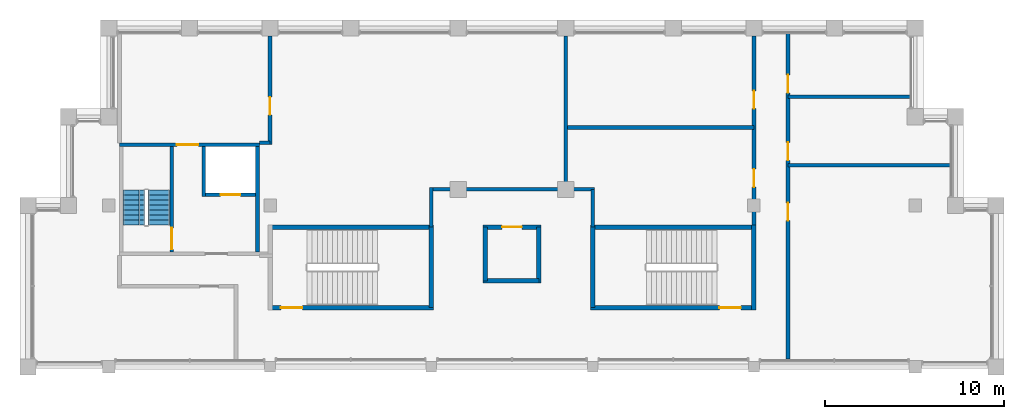
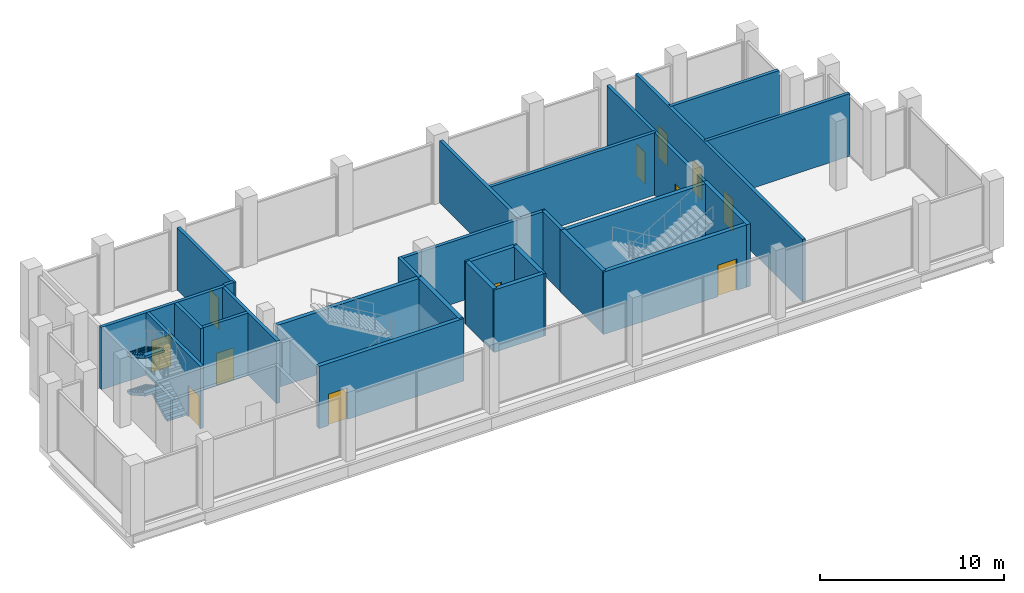
# One storey, part 6 of 8: 27 walls, 12 doors, 3 stair flights, 12 openings, 1 element without a shape of its own.
"""IFC4 building model written with IfcOpenShell, lengths in metres."""

import ifcopenshell
import ifcopenshell.guid

model = None  # the IFC model being written
_history = None  # IfcOwnerHistory: only IFC2X3 demands one
_inside = {}  # id of a spatial element -> (the spatial element, [elements in it])
_under = {}  # id of a project, library or spatial element -> (it, [spatial elements below it])
_declared = {}  # id of a project -> (the project, [libraries it declares])
_typed = {}  # id of a type object -> (the type object, [elements of that type])
_made_of = {}  # id of a material, layer set ... -> (it, [elements and type objects made of it])


def new_model(schema):
    """Start an empty IFC model of exactly this schema.

    Asked for "IFC4X3", IfcOpenShell would pick the latest addendum, in which some entities
    have other attributes; the version numbers below select the first issue.
    IFC2X3 requires an IfcOwnerHistory on every rooted entity: one is made here for all.
    """
    global model, _history
    if schema == "IFC4X3":
        model = ifcopenshell.file(schema_version=(4, 3, 0, 0))
    else:
        model = ifcopenshell.file(schema=schema)
    _inside.clear()
    _under.clear()
    _declared.clear()
    _typed.clear()
    _made_of.clear()
    _history = None
    if model.schema == "IFC2X3":
        org = make("IfcOrganization", Name="unknown")
        user = make(
            "IfcPersonAndOrganization",
            ThePerson=make("IfcPerson", FamilyName="unknown"),
            TheOrganization=org,
        )
        app = make(
            "IfcApplication",
            ApplicationDeveloper=org,
            Version="unknown",
            ApplicationFullName="unknown",
            ApplicationIdentifier="unknown",
        )
        _history = make(
            "IfcOwnerHistory",
            OwningUser=user,
            OwningApplication=app,
            ChangeAction="ADDED",
            CreationDate=0,
        )
    return model


def make(cls, **values):
    """One entity of the class cls with the attributes given. An attribute that is None is left unset."""
    return model.create_entity(
        cls, **{name: value for name, value in values.items() if value is not None}
    )


def rooted(cls, **values):
    """An entity with a GlobalId (a new one), such as an element, a storey or a relation."""
    return make(cls, GlobalId=ifcopenshell.guid.new(), OwnerHistory=_history, **values)


def si_unit(unit_type, name, prefix=None):
    """IfcSIUnit, for example si_unit("LENGTHUNIT", "METRE", prefix="MILLI")."""
    return make("IfcSIUnit", UnitType=unit_type, Prefix=prefix, Name=name)


def assignment(units):
    """IfcUnitAssignment: the units of a project."""
    return None if units is None else make("IfcUnitAssignment", Units=units)


def point(xyz):
    """IfcCartesianPoint."""
    return None if xyz is None else make("IfcCartesianPoint", Coordinates=xyz)


def direction(xyz):
    """IfcDirection."""
    return None if xyz is None else make("IfcDirection", DirectionRatios=xyz)


def frame(location, z_axis=None, x_axis=None):
    """IfcAxis2Placement3D, a coordinate frame: its origin and axes. An axis left out is left unset."""
    return make(
        "IfcAxis2Placement3D",
        Location=point(location),
        Axis=direction(z_axis),
        RefDirection=direction(x_axis),
    )


def frame_2d(location, x_axis=None):
    """IfcAxis2Placement2D, a coordinate frame in the plane: its origin and x axis."""
    return make(
        "IfcAxis2Placement2D", Location=point(location), RefDirection=direction(x_axis)
    )


def origin():
    """The frame at (0, 0, 0) with its axes left unset."""
    return frame((0.0, 0.0, 0.0))


def place(relative_to, where):
    """IfcLocalPlacement: puts the frame where relative to a parent placement (None: the world)."""
    return make(
        "IfcLocalPlacement", PlacementRelTo=relative_to, RelativePlacement=where
    )


def context(
    kind, dimensions, precision=None, world=None, true_north=None, identifier=None
):
    """IfcGeometricRepresentationContext, for example the 3D "Model" context."""
    return make(
        "IfcGeometricRepresentationContext",
        ContextIdentifier=identifier,
        ContextType=kind,
        CoordinateSpaceDimension=dimensions,
        Precision=precision,
        WorldCoordinateSystem=world,
        TrueNorth=true_north,
    )


def subcontext(parent, identifier, kind, view, scale=None):
    """IfcGeometricRepresentationSubContext, for example "Body" below "Model"."""
    return make(
        "IfcGeometricRepresentationSubContext",
        ContextIdentifier=identifier,
        ContextType=kind,
        ParentContext=parent,
        TargetScale=scale,
        TargetView=view,
    )


def project(units=None, contexts=None):
    """IfcProject with its units and contexts."""
    return rooted(
        "IfcProject",
        Name="project",
        RepresentationContexts=contexts,
        UnitsInContext=assignment(units),
    )


def spatial(cls, under=None, at=None, **own):
    """A site, building, storey or space (cls), placed at a placement, below another one or the project."""
    s = rooted(cls, ObjectPlacement=at, **own)
    if under is not None:
        _under.setdefault(under.id(), (under, []))[1].append(s)
    return s


def polyline(points):
    """IfcPolyline through the points."""
    return make("IfcPolyline", Points=[point(p) for p in points])


def profile(cls, at=None, kind="AREA", **sizes):
    """A parametric profile (cls). Its sizes go by their IFC names, for example OverallWidth=200.0."""
    return make(cls, ProfileType=kind, Position=at, **sizes)


def rectangle(**sizes):
    """IfcRectangleProfileDef."""
    return profile("IfcRectangleProfileDef", **sizes)


def outline(outer, holes=None, kind="AREA"):
    """IfcArbitraryClosedProfileDef: a profile drawn as a closed curve; with holes, ...WithVoids."""
    if holes is None:
        return make("IfcArbitraryClosedProfileDef", ProfileType=kind, OuterCurve=outer)
    return make(
        "IfcArbitraryProfileDefWithVoids",
        ProfileType=kind,
        OuterCurve=outer,
        InnerCurves=holes,
    )


def extrude(swept, where, along, depth):
    """IfcExtrudedAreaSolid: the profile swept, set in the frame where, extruded along a direction by depth."""
    return make(
        "IfcExtrudedAreaSolid",
        SweptArea=swept,
        Position=where,
        ExtrudedDirection=direction(along),
        Depth=depth,
    )


def shape(context_of_items, identifier, shape_type, items):
    """IfcShapeRepresentation: the items that make up one representation, for example the "Body"."""
    return make(
        "IfcShapeRepresentation",
        ContextOfItems=context_of_items,
        RepresentationIdentifier=identifier,
        RepresentationType=shape_type,
        Items=items,
    )


def material(Name=None, Category=None):
    """IfcMaterial."""
    return make("IfcMaterial", Name=Name, Category=Category)


def layer(
    of_material, thickness, ventilated=None, Name=None, Category=None, Priority=None
):
    """IfcMaterialLayer: one layer of a wall or slab, of a material (None: an air gap)."""
    return make(
        "IfcMaterialLayer",
        Material=of_material,
        LayerThickness=thickness,
        IsVentilated=ventilated,
        Name=Name,
        Category=Category,
        Priority=Priority,
    )


def layer_set(layers, Name=None):
    """IfcMaterialLayerSet."""
    return make("IfcMaterialLayerSet", MaterialLayers=layers, LayerSetName=Name)


def made_of(thing, what):
    """Note that an element or type object is made of a material, layer set ...; save() writes the relation."""
    if what is not None:
        _made_of.setdefault(what.id(), (what, []))[1].append(thing)
    return thing


def type_object(cls, material=None, **own):
    """A type object (cls), such as IfcWallType, which elements share."""
    return made_of(rooted(cls, **own), material)


def element(
    cls,
    number,
    at=None,
    inside=None,
    cuts=None,
    type_object=None,
    material=None,
    context=None,
    identifier="Body",
    shape_type=None,
    held_by="IfcProductDefinitionShape",
    body=None,
    shapes=None,
    **own,
):
    """One element of the class cls, such as IfcWall. Its Tag is "e" and its number.

    at: its placement. inside: the storey or other place that contains it. cuts: it is an
    opening in that element (IfcRelVoidsElement). A single representation is given by context,
    identifier, shape_type and body (its items); several are given by shapes. held_by: the class
    of the entity that holds the representations. save() writes the other relations.
    """
    e = rooted(cls, Tag="e%d" % number, ObjectPlacement=at, **own)
    if body is not None:
        shapes = [shape(context, identifier, shape_type, body)]
    if shapes is not None:
        e.Representation = make(held_by, Representations=shapes)
    if inside is not None:
        _inside.setdefault(inside.id(), (inside, []))[1].append(e)
    if cuts is not None:
        rooted(
            "IfcRelVoidsElement", RelatingBuildingElement=cuts, RelatedOpeningElement=e
        )
    if type_object is not None:
        _typed.setdefault(type_object.id(), (type_object, []))[1].append(e)
    return made_of(e, material)


def fill(opening, filler):
    """IfcRelFillsElement: the door or window that sits in an opening."""
    return rooted(
        "IfcRelFillsElement",
        RelatingOpeningElement=opening,
        RelatedBuildingElement=filler,
    )


def aggregate(whole, parts):
    """IfcRelAggregates: a whole, such as a stair, and the parts it consists of."""
    return rooted("IfcRelAggregates", RelatingObject=whole, RelatedObjects=parts)


def save(model, path):
    """Write the relations noted so far, then the file.

    IfcRelAggregates (storeys below a building ...), IfcRelContainedInSpatialStructure (elements
    in a storey), IfcRelDefinesByType, IfcRelAssociatesMaterial and IfcRelDeclares: one each for
    every whole, place, type object, material and project.
    """
    for whole, parts in _under.values():
        aggregate(whole, parts)
    for where, things in _inside.values():
        rooted(
            "IfcRelContainedInSpatialStructure",
            RelatedElements=things,
            RelatingStructure=where,
        )
    for kind, things in _typed.values():
        rooted("IfcRelDefinesByType", RelatedObjects=things, RelatingType=kind)
    for what, things in _made_of.values():
        rooted("IfcRelAssociatesMaterial", RelatedObjects=things, RelatingMaterial=what)
    for by, libraries in _declared.values():
        rooted("IfcRelDeclares", RelatingContext=by, RelatedDefinitions=libraries)
    model.write(path)


model = new_model("IFC4")

# Units and contexts
model_context = context("Model", 3, precision=1e-05, world=origin(), true_north=direction((0.0, 1.0)))
body_context = subcontext(model_context, "Body", "Model", "MODEL_VIEW")
ifc_project = project(units=[si_unit("LENGTHUNIT", "METRE"), si_unit("AREAUNIT", "SQUARE_METRE"), si_unit("VOLUMEUNIT", "CUBIC_METRE"), si_unit("PLANEANGLEUNIT", "RADIAN"), si_unit("MASSUNIT", "GRAM", prefix="KILO")], contexts=[model_context])

# Site, building, storey
site_placement = place(None, origin())
site = spatial("IfcSite", under=ifc_project, at=site_placement, CompositionType="ELEMENT")
building_placement = place(site_placement, origin())
building = spatial("IfcBuilding", under=site, at=building_placement, Name="Corbelhall Arena Tower", CompositionType="ELEMENT")
storey_placement = place(building_placement, frame((0.0, 0.0, 381.0)))
storey = spatial("IfcBuildingStorey", under=building, at=storey_placement, Name="L82", CompositionType="ELEMENT", Elevation=381.0)

# Wall
ifc_material_1 = material(Name="Gypsum board on steel stud, acoustic", Category="steel")
ifc_layer_1 = layer(ifc_material_1, 0.199951171875)
ifc_layer_set_1 = layer_set([ifc_layer_1], Name="IN-W-DM200")
wall_type_1 = type_object("IfcWallType", Name="IN-W-DM200", PredefinedType="PARTITIONING", material=ifc_layer_set_1)
wall_1_placement = place(storey_placement, frame((-13.5, 21.5, 0.0), z_axis=(0.0, 0.0, 1.0), x_axis=(-1.0, 0.0, 0.0)))
element("IfcWall", 1, at=wall_1_placement, inside=storey, type_object=wall_type_1, Name="Partition 006", PredefinedType="PARTITIONING", context=body_context, shape_type="SweptSolid", body=[
    extrude(rectangle(XDim=0.60009765625, YDim=0.199951171875, at=frame_2d((0.300048828125, 0.0))), origin(), (0.0, 0.0, 1.0), 4.149658203125),
])

# Wall, opening, door
wall_2_placement = place(storey_placement, frame((-13.5, 27.449951171875, 0.0), z_axis=(0.0, 0.0, 1.0), x_axis=(0.0, -1.0, 0.0)))
wall_2 = element("IfcWall", 2, at=wall_2_placement, inside=storey, type_object=wall_type_1, Name="Partition 007", PredefinedType="PARTITIONING", context=body_context, shape_type="SweptSolid", body=[
    extrude(rectangle(XDim=6.050048828125, YDim=0.199951171875, at=frame_2d((3.02490234375, 0.0))), origin(), (0.0, 0.0, 1.0), 4.149658203125),
])
opening_1_placement = place(wall_2_placement, frame((3.39990234375, 0.0, 0.0)))
opening_1 = element("IfcOpeningElement", 3, at=opening_1_placement, cuts=wall_2, Name="Opening 36003", PredefinedType="OPENING", context=body_context, shape_type="SweptSolid", body=[
    extrude(rectangle(XDim=1.0, YDim=2.10009765625, at=frame_2d((0.5, 1.050048828125))), frame((0.0, 0.10009765625, 0.0), z_axis=(0.0, -1.0, 0.0), x_axis=(1.0, 0.0, 0.0)), (0.0, 0.0, 1.0), 0.199951171875),
])
ifc_material_2 = material(Name="Steel door set", Category="steel")
door_type_1 = type_object("IfcDoorType", Name="IN-D-SW100", OperationType="NOTDEFINED", PredefinedType="DOOR", material=ifc_material_2)
door_1_placement = place(opening_1_placement, origin())
door_1 = element("IfcDoor", 4, at=door_1_placement, inside=storey, type_object=door_type_1, Name="Door 003", OperationType="SINGLE_SWING_RIGHT", OverallHeight=2.10009765625, OverallWidth=1.0, PredefinedType="DOOR", context=body_context, shape_type="SweptSolid", body=[
    extrude(rectangle(XDim=1.0, YDim=2.10009765625, at=frame_2d((0.5, 1.050048828125))), frame((0.0, 0.02490234375, 0.0), z_axis=(0.0, -1.0, 0.0), x_axis=(1.0, 0.0, 0.0)), (0.0, 0.0, 1.0), 0.050048828125),
])
fill(opening_1, door_1)

# Walls
wall_3_placement = place(storey_placement, frame((-4.5, 16.800048828125, 0.0), z_axis=(0.0, 0.0, 1.0), x_axis=(0.0, 1.0, 0.0)))
element("IfcWall", 5, at=wall_3_placement, inside=storey, type_object=wall_type_1, Name="Partition 008", PredefinedType="PARTITIONING", context=body_context, shape_type="SweptSolid", body=[
    extrude(rectangle(XDim=2.199951171875, YDim=0.199951171875, at=frame_2d((1.10009765625, 0.0))), origin(), (0.0, 0.0, 1.0), 4.149658203125),
])
wall_4_placement = place(storey_placement, frame((-4.5, 18.89990234375, 0.0), z_axis=(0.0, 0.0, 1.0), x_axis=(1.0, 0.0, 0.0)))
element("IfcWall", 6, at=wall_4_placement, inside=storey, type_object=wall_type_1, Name="Partition 009", PredefinedType="PARTITIONING", context=body_context, shape_type="SweptSolid", body=[
    extrude(rectangle(XDim=9.10009765625, YDim=0.199951171875, at=frame_2d((4.550048828125, 0.0))), origin(), (0.0, 0.0, 1.0), 4.149658203125),
])
wall_5_placement = place(storey_placement, frame((3.0, 22.35009765625, 0.0), z_axis=(0.0, 0.0, 1.0), x_axis=(1.0, 0.0, 0.0)))
element("IfcWall", 7, at=wall_5_placement, inside=storey, type_object=wall_type_1, Name="Partition 010", PredefinedType="PARTITIONING", context=body_context, shape_type="SweptSolid", body=[
    extrude(rectangle(XDim=10.5, YDim=0.199951171875, at=frame_2d((5.25, 0.0))), origin(), (0.0, 0.0, 1.0), 4.149658203125),
])
wall_6_placement = place(storey_placement, frame((3.0, 27.449951171875, 0.0), z_axis=(0.0, 0.0, 1.0), x_axis=(0.0, -1.0, 0.0)))
element("IfcWall", 8, at=wall_6_placement, inside=storey, type_object=wall_type_1, Name="Partition 011", PredefinedType="PARTITIONING", context=body_context, shape_type="SweptSolid", body=[
    extrude(rectangle(XDim=8.550048828125, YDim=0.199951171875, at=frame_2d((4.27490234375, 0.0))), origin(), (0.0, 0.0, 1.0), 4.149658203125),
])
wall_7_placement = place(storey_placement, frame((4.5, 18.89990234375, 0.0), z_axis=(0.0, 0.0, 1.0), x_axis=(0.0, -1.0, 0.0)))
element("IfcWall", 9, at=wall_7_placement, inside=storey, type_object=wall_type_1, Name="Partition 012", PredefinedType="PARTITIONING", context=body_context, shape_type="SweptSolid", body=[
    extrude(rectangle(XDim=2.099853515625, YDim=0.199951171875, at=frame_2d((1.0498046875, 0.0))), origin(), (0.0, 0.0, 1.0), 4.149658203125),
])

# Wall, openings, doors
wall_8_placement = place(storey_placement, frame((13.5, 16.675048828125, 0.0), z_axis=(0.0, 0.0, 1.0), x_axis=(0.0, 1.0, 0.0)))
wall_8 = element("IfcWall", 10, at=wall_8_placement, inside=storey, type_object=wall_type_1, Name="Partition 013", PredefinedType="PARTITIONING", context=body_context, shape_type="SweptSolid", body=[
    extrude(rectangle(XDim=10.77490234375, YDim=0.199951171875, at=frame_2d((5.387451171875, 0.0))), origin(), (0.0, 0.0, 1.0), 4.149658203125),
])
opening_2_placement = place(wall_8_placement, frame((2.35009765625, 0.0, 0.0)))
opening_2 = element("IfcOpeningElement", 11, at=opening_2_placement, cuts=wall_8, Name="Opening 36004", PredefinedType="OPENING", context=body_context, shape_type="SweptSolid", body=[
    extrude(rectangle(XDim=1.0, YDim=2.10009765625, at=frame_2d((0.5, 1.050048828125))), frame((0.0, 0.10009765625, 0.0), z_axis=(0.0, -1.0, 0.0), x_axis=(1.0, 0.0, 0.0)), (0.0, 0.0, 1.0), 0.199951171875),
])
opening_3_placement = place(wall_8_placement, frame((6.72509765625, 0.0, 0.0)))
opening_3 = element("IfcOpeningElement", 12, at=opening_3_placement, cuts=wall_8, Name="Opening 36005", PredefinedType="OPENING", context=body_context, shape_type="SweptSolid", body=[
    extrude(rectangle(XDim=1.0, YDim=2.10009765625, at=frame_2d((0.5, 1.050048828125))), frame((0.0, 0.10009765625, 0.0), z_axis=(0.0, -1.0, 0.0), x_axis=(1.0, 0.0, 0.0)), (0.0, 0.0, 1.0), 0.199951171875),
])
door_2_placement = place(opening_2_placement, origin())
door_2 = element("IfcDoor", 13, at=door_2_placement, inside=storey, type_object=door_type_1, Name="Door 004", OperationType="SINGLE_SWING_LEFT", OverallHeight=2.10009765625, OverallWidth=1.0, PredefinedType="DOOR", context=body_context, shape_type="SweptSolid", body=[
    extrude(rectangle(XDim=1.0, YDim=2.10009765625, at=frame_2d((0.5, 1.050048828125))), frame((0.0, 0.02490234375, 0.0), z_axis=(0.0, -1.0, 0.0), x_axis=(1.0, 0.0, 0.0)), (0.0, 0.0, 1.0), 0.050048828125),
])
fill(opening_2, door_2)
door_3_placement = place(opening_3_placement, origin())
door_3 = element("IfcDoor", 14, at=door_3_placement, inside=storey, type_object=door_type_1, Name="Door 005", OperationType="SINGLE_SWING_RIGHT", OverallHeight=2.10009765625, OverallWidth=1.0, PredefinedType="DOOR", context=body_context, shape_type="SweptSolid", body=[
    extrude(rectangle(XDim=1.0, YDim=2.10009765625, at=frame_2d((0.5, 1.050048828125))), frame((0.0, 0.02490234375, 0.0), z_axis=(0.0, -1.0, 0.0), x_axis=(1.0, 0.0, 0.0)), (0.0, 0.0, 1.0), 0.050048828125),
])
fill(opening_3, door_3)

# Wall
wall_9_placement = place(storey_placement, frame((15.39990234375, 20.25, 0.0), z_axis=(0.0, 0.0, 1.0), x_axis=(1.0, 0.0, 0.0)))
element("IfcWall", 15, at=wall_9_placement, inside=storey, type_object=wall_type_1, Name="Partition 014", PredefinedType="PARTITIONING", context=body_context, shape_type="SweptSolid", body=[
    extrude(rectangle(XDim=9.086181640625, YDim=0.199951171875, at=frame_2d((4.54296875, 0.0))), origin(), (0.0, 0.0, 1.0), 4.149658203125),
])

# Wall, openings, doors
wall_10_placement = place(storey_placement, frame((15.39990234375, 27.635986328125, 0.0), z_axis=(0.0, 0.0, 1.0), x_axis=(0.0, -1.0, 0.0)))
wall_10 = element("IfcWall", 16, at=wall_10_placement, inside=storey, type_object=wall_type_1, Name="Partition 015", PredefinedType="PARTITIONING", context=body_context, shape_type="SweptSolid", body=[
    extrude(rectangle(XDim=18.18603515625, YDim=0.199951171875, at=frame_2d((9.093017578125, 0.0))), origin(), (0.0, 0.0, 1.0), 4.149658203125),
])
opening_4_placement = place(wall_10_placement, frame((9.486083984375, 0.0, 0.0)))
opening_4 = element("IfcOpeningElement", 17, at=opening_4_placement, cuts=wall_10, Name="Opening 36007", PredefinedType="OPENING", context=body_context, shape_type="SweptSolid", body=[
    extrude(rectangle(XDim=1.0, YDim=2.10009765625, at=frame_2d((0.5, 1.050048828125))), frame((0.0, 0.10009765625, 0.0), z_axis=(0.0, -1.0, 0.0), x_axis=(1.0, 0.0, 0.0)), (0.0, 0.0, 1.0), 0.199951171875),
])
opening_5_placement = place(wall_10_placement, frame((6.111083984375, 0.0, 0.0)))
opening_5 = element("IfcOpeningElement", 18, at=opening_5_placement, cuts=wall_10, Name="Opening 36008", PredefinedType="OPENING", context=body_context, shape_type="SweptSolid", body=[
    extrude(rectangle(XDim=1.0, YDim=2.10009765625, at=frame_2d((0.5, 1.050048828125))), frame((0.0, 0.10009765625, 0.0), z_axis=(0.0, -1.0, 0.0), x_axis=(1.0, 0.0, 0.0)), (0.0, 0.0, 1.0), 0.199951171875),
])
opening_6_placement = place(wall_10_placement, frame((2.35009765625, 0.0, 0.0)))
opening_6 = element("IfcOpeningElement", 19, at=opening_6_placement, cuts=wall_10, Name="Opening 36009", PredefinedType="OPENING", context=body_context, shape_type="SweptSolid", body=[
    extrude(rectangle(XDim=1.0, YDim=2.10009765625, at=frame_2d((0.5, 1.050048828125))), frame((0.0, 0.10009765625, 0.0), z_axis=(0.0, -1.0, 0.0), x_axis=(1.0, 0.0, 0.0)), (0.0, 0.0, 1.0), 0.199951171875),
])
door_4_placement = place(opening_4_placement, origin())
door_4 = element("IfcDoor", 20, at=door_4_placement, inside=storey, type_object=door_type_1, Name="Door 007", OperationType="SINGLE_SWING_RIGHT", OverallHeight=2.10009765625, OverallWidth=1.0, PredefinedType="DOOR", context=body_context, shape_type="SweptSolid", body=[
    extrude(rectangle(XDim=1.0, YDim=2.10009765625, at=frame_2d((0.5, 1.050048828125))), frame((0.0, 0.02490234375, 0.0), z_axis=(0.0, -1.0, 0.0), x_axis=(1.0, 0.0, 0.0)), (0.0, 0.0, 1.0), 0.050048828125),
])
fill(opening_4, door_4)
door_5_placement = place(opening_5_placement, origin())
door_5 = element("IfcDoor", 21, at=door_5_placement, inside=storey, type_object=door_type_1, Name="Door 008", OperationType="SINGLE_SWING_LEFT", OverallHeight=2.10009765625, OverallWidth=1.0, PredefinedType="DOOR", context=body_context, shape_type="SweptSolid", body=[
    extrude(rectangle(XDim=1.0, YDim=2.10009765625, at=frame_2d((0.5, 1.050048828125))), frame((0.0, 0.02490234375, 0.0), z_axis=(0.0, -1.0, 0.0), x_axis=(1.0, 0.0, 0.0)), (0.0, 0.0, 1.0), 0.050048828125),
])
fill(opening_5, door_5)
door_6_placement = place(opening_6_placement, origin())
door_6 = element("IfcDoor", 22, at=door_6_placement, inside=storey, type_object=door_type_1, Name="Door 009", OperationType="SINGLE_SWING_RIGHT", OverallHeight=2.10009765625, OverallWidth=1.0, PredefinedType="DOOR", context=body_context, shape_type="SweptSolid", body=[
    extrude(rectangle(XDim=1.0, YDim=2.10009765625, at=frame_2d((0.5, 1.050048828125))), frame((0.0, 0.02490234375, 0.0), z_axis=(0.0, -1.0, 0.0), x_axis=(1.0, 0.0, 0.0)), (0.0, 0.0, 1.0), 0.050048828125),
])
fill(opening_6, door_6)

# Wall
wall_11_placement = place(storey_placement, frame((15.39990234375, 24.074951171875, 0.0), z_axis=(0.0, 0.0, 1.0), x_axis=(1.0, 0.0, 0.0)))
element("IfcWall", 23, at=wall_11_placement, inside=storey, type_object=wall_type_1, Name="Partition 016", PredefinedType="PARTITIONING", context=body_context, shape_type="SweptSolid", body=[
    extrude(rectangle(XDim=6.836181640625, YDim=0.199951171875, at=frame_2d((3.41796875, 0.0))), origin(), (0.0, 0.0, 1.0), 4.149658203125),
])

# Wall, opening, door
ifc_material_3 = material(Name="Concrete C40/50", Category="concrete")
ifc_layer_2 = layer(ifc_material_3, 0.199951171875)
ifc_layer_set_2 = layer_set([ifc_layer_2], Name="IN-W-EAR200")
wall_type_2 = type_object("IfcWallType", Name="IN-W-EAR200", PredefinedType="SOLIDWALL", material=ifc_layer_set_2)
wall_12_placement = place(storey_placement, frame((-21.89990234375, 21.39990234375, 0.0), z_axis=(0.0, 0.0, 1.0), x_axis=(1.0, 0.0, 0.0)))
wall_12 = element("IfcWall", 24, at=wall_12_placement, inside=storey, type_object=wall_type_2, Name="Fire service turret wall north", PredefinedType="SOLIDWALL", context=body_context, shape_type="SweptSolid", body=[
    extrude(rectangle(XDim=7.7998046875, YDim=0.199951171875, at=frame_2d((3.89990234375, 0.0))), origin(), (0.0, 0.0, 1.0), 4.149658203125),
])
opening_7_placement = place(wall_12_placement, frame((3.199951171875, 0.0, 0.0)))
opening_7 = element("IfcOpeningElement", 25, at=opening_7_placement, cuts=wall_12, Name="Opening E363", PredefinedType="OPENING", context=body_context, shape_type="SweptSolid", body=[
    extrude(rectangle(XDim=1.199951171875, YDim=2.10009765625, at=frame_2d((0.60009765625, 1.050048828125))), frame((0.0, 0.10009765625, 0.0), z_axis=(0.0, -1.0, 0.0), x_axis=(1.0, 0.0, 0.0)), (0.0, 0.0, 1.0), 0.199951171875),
])
door_type_2 = type_object("IfcDoorType", Name="IN-D-ST120", OperationType="NOTDEFINED", PredefinedType="DOOR", material=ifc_material_2)
door_7_placement = place(opening_7_placement, origin())
door_7 = element("IfcDoor", 26, at=door_7_placement, inside=storey, type_object=door_type_2, Name="Door from fire service lift lobby to the north gallery", OperationType="SINGLE_SWING_LEFT", OverallHeight=2.10009765625, OverallWidth=1.199951171875, PredefinedType="DOOR", context=body_context, shape_type="SweptSolid", body=[
    extrude(rectangle(XDim=1.199951171875, YDim=2.10009765625, at=frame_2d((0.60009765625, 1.050048828125))), frame((0.0, 0.02490234375, 0.0), z_axis=(0.0, -1.0, 0.0), x_axis=(1.0, 0.0, 0.0)), (0.0, 0.0, 1.0), 0.050048828125),
])
fill(opening_7, door_7)

# Wall
wall_13_placement = place(storey_placement, frame((-14.199951171875, 15.39990234375, 0.0), z_axis=(0.0, 0.0, 1.0), x_axis=(0.0, 1.0, 0.0)))
element("IfcWall", 27, at=wall_13_placement, inside=storey, type_object=wall_type_2, Name="Fire service turret wall east", PredefinedType="SOLIDWALL", context=body_context, shape_type="SweptSolid", body=[
    extrude(rectangle(XDim=5.900146484375, YDim=0.199951171875, at=frame_2d((2.9501953125, 0.0))), origin(), (0.0, 0.0, 1.0), 4.149658203125),
])

# Wall, opening, door
wall_14_placement = place(storey_placement, frame((-18.989990234375, 15.39990234375, 0.0), z_axis=(0.0, 0.0, 1.0), x_axis=(0.0, 1.0, 0.0)))
wall_14 = element("IfcWall", 28, at=wall_14_placement, inside=storey, type_object=wall_type_2, Name="Fire service turret wall stair", PredefinedType="SOLIDWALL", context=body_context, shape_type="SweptSolid", body=[
    extrude(rectangle(XDim=5.900146484375, YDim=0.199951171875, at=frame_2d((2.9501953125, 0.0))), origin(), (0.0, 0.0, 1.0), 4.149658203125),
])
opening_8_placement = place(wall_14_placement, frame((0.14990234375, 0.0, 0.0)))
opening_8 = element("IfcOpeningElement", 29, at=opening_8_placement, cuts=wall_14, Name="Opening E361", PredefinedType="OPENING", context=body_context, shape_type="SweptSolid", body=[
    extrude(rectangle(XDim=1.199951171875, YDim=2.10009765625, at=frame_2d((0.60009765625, 1.050048828125))), frame((0.0, 0.10009765625, 0.0), z_axis=(0.0, -1.0, 0.0), x_axis=(1.0, 0.0, 0.0)), (0.0, 0.0, 1.0), 0.199951171875),
])
door_8_placement = place(opening_8_placement, origin())
door_8 = element("IfcDoor", 30, at=door_8_placement, inside=storey, type_object=door_type_2, Name="Stair door to fire service lobby", OperationType="SINGLE_SWING_LEFT", OverallHeight=2.10009765625, OverallWidth=1.199951171875, PredefinedType="DOOR", context=body_context, shape_type="SweptSolid", body=[
    extrude(rectangle(XDim=1.199951171875, YDim=2.10009765625, at=frame_2d((0.60009765625, 1.050048828125))), frame((0.0, 0.02490234375, 0.0), z_axis=(0.0, -1.0, 0.0), x_axis=(1.0, 0.0, 0.0)), (0.0, 0.0, 1.0), 0.050048828125),
])
fill(opening_8, door_8)

# Wall
wall_15_placement = place(storey_placement, frame((-17.199951171875, 18.5, 0.0), z_axis=(0.0, 0.0, 1.0), x_axis=(0.0, 1.0, 0.0)))
element("IfcWall", 31, at=wall_15_placement, inside=storey, type_object=wall_type_2, Name="Fire service turret wall hoistway west", PredefinedType="SOLIDWALL", context=body_context, shape_type="SweptSolid", body=[
    extrude(rectangle(XDim=2.800048828125, YDim=0.199951171875, at=frame_2d((1.39990234375, 0.0))), origin(), (0.0, 0.0, 1.0), 4.149658203125),
])

# Wall, opening, door
wall_16_placement = place(storey_placement, frame((-17.10009765625, 18.60009765625, 0.0), z_axis=(0.0, 0.0, 1.0), x_axis=(1.0, 0.0, 0.0)))
wall_16 = element("IfcWall", 32, at=wall_16_placement, inside=storey, type_object=wall_type_2, Name="Fire service turret wall hoistway south", PredefinedType="SOLIDWALL", context=body_context, shape_type="SweptSolid", body=[
    extrude(rectangle(XDim=2.800048828125, YDim=0.199951171875, at=frame_2d((1.39990234375, 0.0))), origin(), (0.0, 0.0, 1.0), 4.149658203125),
])
opening_9_placement = place(wall_16_placement, frame((0.85009765625, 0.0, 0.0)))
opening_9 = element("IfcOpeningElement", 33, at=opening_9_placement, cuts=wall_16, Name="Opening LD", PredefinedType="OPENING", context=body_context, shape_type="SweptSolid", body=[
    extrude(rectangle(XDim=1.10009765625, YDim=2.10009765625, at=frame_2d((0.550048828125, 1.050048828125))), frame((0.0, 0.10009765625, 0.0), z_axis=(0.0, -1.0, 0.0), x_axis=(1.0, 0.0, 0.0)), (0.0, 0.0, 1.0), 0.199951171875),
])
door_type_3 = type_object("IfcDoorType", Name="IN-D-LD110", OperationType="NOTDEFINED", PredefinedType="DOOR", material=ifc_material_2)
door_9_placement = place(opening_9_placement, origin())
door_9 = element("IfcDoor", 34, at=door_9_placement, inside=storey, type_object=door_type_3, Name="Landing door FS1", OperationType="SLIDING_TO_LEFT", OverallHeight=2.10009765625, OverallWidth=1.10009765625, PredefinedType="DOOR", context=body_context, shape_type="SweptSolid", body=[
    extrude(rectangle(XDim=1.10009765625, YDim=2.10009765625, at=frame_2d((0.550048828125, 1.050048828125))), frame((0.0, 0.02490234375, 0.0), z_axis=(0.0, -1.0, 0.0), x_axis=(1.0, 0.0, 0.0)), (0.0, 0.0, 1.0), 0.050048828125),
])
fill(opening_9, door_9)

ifc_layer_3 = layer(ifc_material_3, 0.25)
ifc_layer_set_3 = layer_set([ifc_layer_3], Name="IN-W-SH250")
wall_type_3 = type_object("IfcWallType", Name="IN-W-SH250", PredefinedType="SOLIDWALL", material=ifc_layer_set_3)
wall_17_placement = place(storey_placement, frame((-1.625, 16.800048828125, 0.0), z_axis=(0.0, 0.0, 1.0), x_axis=(1.0, 0.0, 0.0)))
wall_17 = element("IfcWall", 35, at=wall_17_placement, inside=storey, type_object=wall_type_3, Name="Shaft wall 017", PredefinedType="SOLIDWALL", context=body_context, shape_type="SweptSolid", body=[
    extrude(rectangle(XDim=3.25, YDim=0.25, at=frame_2d((1.625, 0.0))), origin(), (0.0, 0.0, 1.0), 4.149658203125),
])
opening_10_placement = place(wall_17_placement, frame((1.074951171875, 0.0, 0.0)))
opening_10 = element("IfcOpeningElement", 36, at=opening_10_placement, cuts=wall_17, Name="Opening LD", PredefinedType="OPENING", context=body_context, shape_type="SweptSolid", body=[
    extrude(rectangle(XDim=1.10009765625, YDim=2.10009765625, at=frame_2d((0.550048828125, 1.050048828125))), frame((0.0, 0.125, 0.0), z_axis=(0.0, -1.0, 0.0), x_axis=(1.0, 0.0, 0.0)), (0.0, 0.0, 1.0), 0.25),
])
door_10_placement = place(opening_10_placement, origin())
door_10 = element("IfcDoor", 37, at=door_10_placement, inside=storey, type_object=door_type_3, Name="Landing door C1", OperationType="SLIDING_TO_LEFT", OverallHeight=2.10009765625, OverallWidth=1.10009765625, PredefinedType="DOOR", context=body_context, shape_type="SweptSolid", body=[
    extrude(rectangle(XDim=1.10009765625, YDim=2.10009765625, at=frame_2d((0.550048828125, 1.050048828125))), frame((0.0, 0.02490234375, 0.0), z_axis=(0.0, -1.0, 0.0), x_axis=(1.0, 0.0, 0.0)), (0.0, 0.0, 1.0), 0.050048828125),
])
fill(opening_10, door_10)

# Walls
wall_18_placement = place(storey_placement, frame((-1.5, 13.800048828125, 0.0), z_axis=(0.0, 0.0, 1.0), x_axis=(0.0, 1.0, 0.0)))
element("IfcWall", 38, at=wall_18_placement, inside=storey, type_object=wall_type_3, Name="Shaft wall 018", PredefinedType="SOLIDWALL", context=body_context, shape_type="SweptSolid", body=[
    extrude(rectangle(XDim=3.0, YDim=0.25, at=frame_2d((1.5, 0.0))), origin(), (0.0, 0.0, 1.0), 4.149658203125),
])
for number, where, z_axis, x_axis, name in (
    (39, (1.5, 13.800048828125, 0.0), (0.0, 0.0, 1.0), (-1.0, 0.0, 0.0), "Shaft wall 019"),
    (40, (1.5, 16.800048828125, 0.0), (0.0, 0.0, 1.0), (0.0, -1.0, 0.0), "Shaft wall 020"),
):
    element("IfcWall", number, at=place(storey_placement, frame(where, z_axis=z_axis, x_axis=x_axis)), inside=storey, type_object=wall_type_3, Name=name, PredefinedType="SOLIDWALL", context=body_context, shape_type="SweptSolid", body=[
        extrude(rectangle(XDim=3.125, YDim=0.25, at=frame_2d((1.5625, 0.0))), origin(), (0.0, 0.0, 1.0), 4.149658203125),
    ])

# Wall, opening, door
ifc_layer_4 = layer(ifc_material_3, 0.25)
ifc_layer_set_4 = layer_set([ifc_layer_4], Name="IN-W-ST250")
wall_type_4 = type_object("IfcWallType", Name="IN-W-ST250", PredefinedType="SOLIDWALL", material=ifc_layer_set_4)
wall_19_placement = place(storey_placement, frame((-13.5, 12.300048828125, 0.0), z_axis=(0.0, 0.0, 1.0), x_axis=(1.0, 0.0, 0.0)))
wall_19 = element("IfcWall", 41, at=wall_19_placement, inside=storey, type_object=wall_type_4, Name="Shaft wall 021", PredefinedType="SOLIDWALL", context=body_context, shape_type="SweptSolid", body=[
    extrude(rectangle(XDim=9.125, YDim=0.25, at=frame_2d((4.5625, 0.0))), origin(), (0.0, 0.0, 1.0), 4.149658203125),
])
opening_11_placement = place(wall_19_placement, frame((0.60009765625, 0.0, 0.0)))
opening_11 = element("IfcOpeningElement", 42, at=opening_11_placement, cuts=wall_19, Name="Opening 36001", PredefinedType="OPENING", context=body_context, shape_type="SweptSolid", body=[
    extrude(rectangle(XDim=1.199951171875, YDim=2.10009765625, at=frame_2d((0.60009765625, 1.050048828125))), frame((0.0, 0.125, 0.0), z_axis=(0.0, -1.0, 0.0), x_axis=(1.0, 0.0, 0.0)), (0.0, 0.0, 1.0), 0.25),
])
door_11_placement = place(opening_11_placement, origin())
door_11 = element("IfcDoor", 43, at=door_11_placement, inside=storey, type_object=door_type_2, Name="Door 001", OperationType="SINGLE_SWING_RIGHT", OverallHeight=2.10009765625, OverallWidth=1.199951171875, PredefinedType="DOOR", context=body_context, shape_type="SweptSolid", body=[
    extrude(rectangle(XDim=1.199951171875, YDim=2.10009765625, at=frame_2d((0.60009765625, 1.050048828125))), frame((0.0, 0.02490234375, 0.0), z_axis=(0.0, -1.0, 0.0), x_axis=(1.0, 0.0, 0.0)), (0.0, 0.0, 1.0), 0.050048828125),
])
fill(opening_11, door_11)

# Walls
wall_20_placement = place(storey_placement, frame((-13.5, 16.800048828125, 0.0), z_axis=(0.0, 0.0, 1.0), x_axis=(1.0, 0.0, 0.0)))
element("IfcWall", 44, at=wall_20_placement, inside=storey, type_object=wall_type_4, Name="Shaft wall 023", PredefinedType="SOLIDWALL", context=body_context, shape_type="SweptSolid", body=[
    extrude(rectangle(XDim=9.10009765625, YDim=0.25, at=frame_2d((4.550048828125, 0.0))), origin(), (0.0, 0.0, 1.0), 4.149658203125),
])
wall_21_placement = place(storey_placement, frame((-4.5, 16.925048828125, 0.0), z_axis=(0.0, 0.0, 1.0), x_axis=(0.0, -1.0, 0.0)))
element("IfcWall", 45, at=wall_21_placement, inside=storey, type_object=wall_type_4, Name="Shaft wall 024", PredefinedType="SOLIDWALL", context=body_context, shape_type="SweptSolid", body=[
    extrude(rectangle(XDim=4.625, YDim=0.25, at=frame_2d((2.3125, 0.0))), origin(), (0.0, 0.0, 1.0), 4.149658203125),
])

# Wall, opening, door
wall_22_placement = place(storey_placement, frame((4.375, 12.300048828125, 0.0), z_axis=(0.0, 0.0, 1.0), x_axis=(1.0, 0.0, 0.0)))
wall_22 = element("IfcWall", 46, at=wall_22_placement, inside=storey, type_object=wall_type_4, Name="Shaft wall 025", PredefinedType="SOLIDWALL", context=body_context, shape_type="SweptSolid", body=[
    extrude(rectangle(XDim=9.125, YDim=0.25, at=frame_2d((4.5625, 0.0))), origin(), (0.0, 0.0, 1.0), 4.149658203125),
])
opening_12_placement = place(wall_22_placement, frame((7.199951171875, 0.0, 0.0)))
opening_12 = element("IfcOpeningElement", 47, at=opening_12_placement, cuts=wall_22, Name="Opening 36002", PredefinedType="OPENING", context=body_context, shape_type="SweptSolid", body=[
    extrude(rectangle(XDim=1.199951171875, YDim=2.10009765625, at=frame_2d((0.60009765625, 1.050048828125))), frame((0.0, 0.125, 0.0), z_axis=(0.0, -1.0, 0.0), x_axis=(1.0, 0.0, 0.0)), (0.0, 0.0, 1.0), 0.25),
])
door_12_placement = place(opening_12_placement, origin())
door_12 = element("IfcDoor", 48, at=door_12_placement, inside=storey, type_object=door_type_2, Name="Door 002", OperationType="SINGLE_SWING_LEFT", OverallHeight=2.10009765625, OverallWidth=1.199951171875, PredefinedType="DOOR", context=body_context, shape_type="SweptSolid", body=[
    extrude(rectangle(XDim=1.199951171875, YDim=2.10009765625, at=frame_2d((0.60009765625, 1.050048828125))), frame((0.0, 0.02490234375, 0.0), z_axis=(0.0, -1.0, 0.0), x_axis=(1.0, 0.0, 0.0)), (0.0, 0.0, 1.0), 0.050048828125),
])
fill(opening_12, door_12)

# Walls
wall_23_placement = place(storey_placement, frame((4.39990234375, 16.800048828125, 0.0), z_axis=(0.0, 0.0, 1.0), x_axis=(1.0, 0.0, 0.0)))
element("IfcWall", 49, at=wall_23_placement, inside=storey, type_object=wall_type_4, Name="Shaft wall 026", PredefinedType="SOLIDWALL", context=body_context, shape_type="SweptSolid", body=[
    extrude(rectangle(XDim=9.10009765625, YDim=0.25, at=frame_2d((4.550048828125, 0.0))), origin(), (0.0, 0.0, 1.0), 4.149658203125),
])
wall_24_placement = place(storey_placement, frame((4.5, 12.300048828125, 0.0), z_axis=(0.0, 0.0, 1.0), x_axis=(0.0, 1.0, 0.0)))
element("IfcWall", 50, at=wall_24_placement, inside=storey, type_object=wall_type_4, Name="Shaft wall 027", PredefinedType="SOLIDWALL", context=body_context, shape_type="SweptSolid", body=[
    extrude(rectangle(XDim=4.625, YDim=0.25, at=frame_2d((2.3125, 0.0))), origin(), (0.0, 0.0, 1.0), 4.149658203125),
])
wall_25_placement = place(storey_placement, frame((13.5, 12.175048828125, 0.0), z_axis=(0.0, 0.0, 1.0), x_axis=(0.0, 1.0, 0.0)))
element("IfcWall", 51, at=wall_25_placement, inside=storey, type_object=wall_type_4, Name="Shaft wall 028", PredefinedType="SOLIDWALL", context=body_context, shape_type="SweptSolid", body=[
    extrude(rectangle(XDim=4.75, YDim=0.25, at=frame_2d((2.375, 0.0))), origin(), (0.0, 0.0, 1.0), 4.149658203125),
])

# Stair, stair flights
stair_type = type_object("IfcStairType", Name="IN-ST-TOWER", PredefinedType="HALF_TURN_STAIR", material=ifc_material_3)
stair_placement = place(storey_placement, origin())
stair = element("IfcStair", 52, at=stair_placement, inside=storey, type_object=stair_type, Name="L82 Exit stair ST5", PredefinedType="HALF_TURN_STAIR")
stair_flight_type = type_object("IfcStairFlightType", Name="IN-SFL-RC", PredefinedType="STRAIGHT", material=ifc_material_3)
stair_flight_1_placement = place(storey_placement, frame((-19.695068359375, 16.89990234375, 0.0), z_axis=(0.0, 0.0, 1.0), x_axis=(0.0, 1.0, 0.0)))
stair_flight_1 = element("IfcStairFlight", 53, at=stair_flight_1_placement, type_object=stair_flight_type, Name="ST5 flight 1", NumberOfRisers=8, NumberOfTreads=7, PredefinedType="STRAIGHT", RiserHeight=0.15625, TreadLength=0.28, context=body_context, shape_type="SweptSolid", body=[
    extrude(outline(polyline([(0.0, 0.0), (0.0, 0.15625), (0.280029296875, 0.15625), (0.280029296875, 0.3125), (0.56005859375, 0.3125), (0.56005859375, 0.46875), (0.840087890625, 0.46875), (0.840087890625, 0.625), (1.1201171875, 0.625), (1.1201171875, 0.78125), (1.39990234375, 0.78125), (1.39990234375, 0.9375), (1.679931640625, 0.9375), (1.679931640625, 1.09375), (1.9599609375, 1.09375), (1.9599609375, 1.25), (1.9599609375, 0.922119140625), (0.3076171875, 0.0), (0.0, 0.0)])), frame((0.0, 0.60009765625, 0.0), z_axis=(0.0, -1.0, 0.0), x_axis=(1.0, 0.0, 0.0)), (0.0, 0.0, 1.0), 0.300048828125),
    extrude(outline(polyline([(0.0, 0.0), (0.0, 0.15625), (0.280029296875, 0.15625), (0.280029296875, 0.3125), (0.56005859375, 0.3125), (0.56005859375, 0.46875), (0.840087890625, 0.46875), (0.840087890625, 0.625), (1.1201171875, 0.625), (1.1201171875, 0.78125), (1.39990234375, 0.78125), (1.39990234375, 0.9375), (1.679931640625, 0.9375), (1.679931640625, 1.09375), (1.9599609375, 1.09375), (1.9599609375, 1.25), (1.9599609375, 0.922119140625), (0.3076171875, 0.0), (0.0, 0.0)])), frame((0.0, 0.2958984375, 0.0), z_axis=(0.0, -1.0, 0.0), x_axis=(1.0, 0.0, 0.0)), (0.0, 0.0, 1.0), 0.592041015625),
    extrude(outline(polyline([(0.0, 0.0), (0.0, 0.15625), (0.280029296875, 0.15625), (0.280029296875, 0.3125), (0.56005859375, 0.3125), (0.56005859375, 0.46875), (0.840087890625, 0.46875), (0.840087890625, 0.625), (1.1201171875, 0.625), (1.1201171875, 0.78125), (1.39990234375, 0.78125), (1.39990234375, 0.9375), (1.679931640625, 0.9375), (1.679931640625, 1.09375), (1.9599609375, 1.09375), (1.9599609375, 1.25), (1.9599609375, 0.922119140625), (0.3076171875, 0.0), (0.0, 0.0)])), frame((0.0, -0.300048828125, 0.0), z_axis=(0.0, -1.0, 0.0), x_axis=(1.0, 0.0, 0.0)), (0.0, 0.0, 1.0), 0.300048828125),
])
stair_flight_2_placement = place(storey_placement, frame((-21.094970703125, 18.860107421875, 1.25), z_axis=(0.0, 0.0, 1.0), x_axis=(0.0, -1.0, 0.0)))
stair_flight_2 = element("IfcStairFlight", 54, at=stair_flight_2_placement, type_object=stair_flight_type, Name="ST5 flight 2", NumberOfRisers=8, NumberOfTreads=7, PredefinedType="STRAIGHT", RiserHeight=0.15625, TreadLength=0.28, context=body_context, shape_type="SweptSolid", body=[
    extrude(outline(polyline([(0.0, 0.0), (0.0, 0.15625), (0.280029296875, 0.15625), (0.280029296875, 0.3125), (0.56005859375, 0.3125), (0.56005859375, 0.46875), (0.840087890625, 0.46875), (0.840087890625, 0.625), (1.1201171875, 0.625), (1.1201171875, 0.78125), (1.39990234375, 0.78125), (1.39990234375, 0.9375), (1.679931640625, 0.9375), (1.679931640625, 1.09375), (1.9599609375, 1.09375), (1.9599609375, 1.25), (1.9599609375, 0.922119140625), (0.3076171875, 0.0), (0.0, 0.0)])), frame((0.0, 0.60009765625, 0.0), z_axis=(0.0, -1.0, 0.0), x_axis=(1.0, 0.0, 0.0)), (0.0, 0.0, 1.0), 0.300048828125),
    extrude(outline(polyline([(0.0, 0.0), (0.0, 0.15625), (0.280029296875, 0.15625), (0.280029296875, 0.3125), (0.56005859375, 0.3125), (0.56005859375, 0.46875), (0.840087890625, 0.46875), (0.840087890625, 0.625), (1.1201171875, 0.625), (1.1201171875, 0.78125), (1.39990234375, 0.78125), (1.39990234375, 0.9375), (1.679931640625, 0.9375), (1.679931640625, 1.09375), (1.9599609375, 1.09375), (1.9599609375, 1.25), (1.9599609375, 0.922119140625), (0.3076171875, 0.0), (0.0, 0.0)])), frame((0.0, 0.2958984375, 0.0), z_axis=(0.0, -1.0, 0.0), x_axis=(1.0, 0.0, 0.0)), (0.0, 0.0, 1.0), 0.592041015625),
    extrude(outline(polyline([(0.0, 0.0), (0.0, 0.15625), (0.280029296875, 0.15625), (0.280029296875, 0.3125), (0.56005859375, 0.3125), (0.56005859375, 0.46875), (0.840087890625, 0.46875), (0.840087890625, 0.625), (1.1201171875, 0.625), (1.1201171875, 0.78125), (1.39990234375, 0.78125), (1.39990234375, 0.9375), (1.679931640625, 0.9375), (1.679931640625, 1.09375), (1.9599609375, 1.09375), (1.9599609375, 1.25), (1.9599609375, 0.922119140625), (0.3076171875, 0.0), (0.0, 0.0)])), frame((0.0, -0.300048828125, 0.0), z_axis=(0.0, -1.0, 0.0), x_axis=(1.0, 0.0, 0.0)), (0.0, 0.0, 1.0), 0.300048828125),
])
stair_flight_3_placement = place(storey_placement, frame((-21.094970703125, 18.860107421875, 3.75), z_axis=(0.0, 0.0, 1.0), x_axis=(0.0, -1.0, 0.0)))
stair_flight_3 = element("IfcStairFlight", 55, at=stair_flight_3_placement, type_object=stair_flight_type, Name="ST5 flight 4", NumberOfRisers=8, NumberOfTreads=7, PredefinedType="STRAIGHT", RiserHeight=0.15625, TreadLength=0.28, context=body_context, shape_type="SweptSolid", body=[
    extrude(outline(polyline([(0.0, 0.0), (0.0, 0.15625), (0.280029296875, 0.15625), (0.280029296875, 0.3125), (0.56005859375, 0.3125), (0.56005859375, 0.46875), (0.840087890625, 0.46875), (0.840087890625, 0.625), (1.1201171875, 0.625), (1.1201171875, 0.78125), (1.39990234375, 0.78125), (1.39990234375, 0.9375), (1.679931640625, 0.9375), (1.679931640625, 1.09375), (1.9599609375, 1.09375), (1.9599609375, 1.25), (1.9599609375, 0.922119140625), (0.3076171875, 0.0), (0.0, 0.0)])), frame((0.0, 0.60009765625, 0.0), z_axis=(0.0, -1.0, 0.0), x_axis=(1.0, 0.0, 0.0)), (0.0, 0.0, 1.0), 0.300048828125),
    extrude(outline(polyline([(0.0, 0.0), (0.0, 0.15625), (0.280029296875, 0.15625), (0.280029296875, 0.3125), (0.56005859375, 0.3125), (0.56005859375, 0.46875), (0.840087890625, 0.46875), (0.840087890625, 0.625), (1.1201171875, 0.625), (1.1201171875, 0.78125), (1.39990234375, 0.78125), (1.39990234375, 0.9375), (1.679931640625, 0.9375), (1.679931640625, 1.09375), (1.9599609375, 1.09375), (1.9599609375, 1.25), (1.9599609375, 0.922119140625), (0.3076171875, 0.0), (0.0, 0.0)])), frame((0.0, 0.2958984375, 0.0), z_axis=(0.0, -1.0, 0.0), x_axis=(1.0, 0.0, 0.0)), (0.0, 0.0, 1.0), 0.592041015625),
    extrude(outline(polyline([(0.0, 0.0), (0.0, 0.15625), (0.280029296875, 0.15625), (0.280029296875, 0.3125), (0.56005859375, 0.3125), (0.56005859375, 0.46875), (0.840087890625, 0.46875), (0.840087890625, 0.625), (1.1201171875, 0.625), (1.1201171875, 0.78125), (1.39990234375, 0.78125), (1.39990234375, 0.9375), (1.679931640625, 0.9375), (1.679931640625, 1.09375), (1.9599609375, 1.09375), (1.9599609375, 1.25), (1.9599609375, 0.922119140625), (0.3076171875, 0.0), (0.0, 0.0)])), frame((0.0, -0.300048828125, 0.0), z_axis=(0.0, -1.0, 0.0), x_axis=(1.0, 0.0, 0.0)), (0.0, 0.0, 1.0), 0.300048828125),
])
aggregate(stair, [stair_flight_1, stair_flight_2, stair_flight_3])

save(model, "model.ifc")
